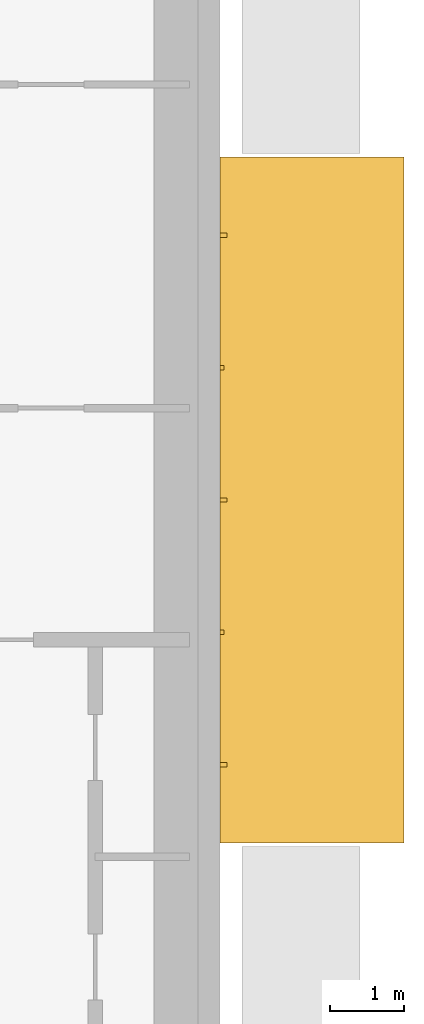
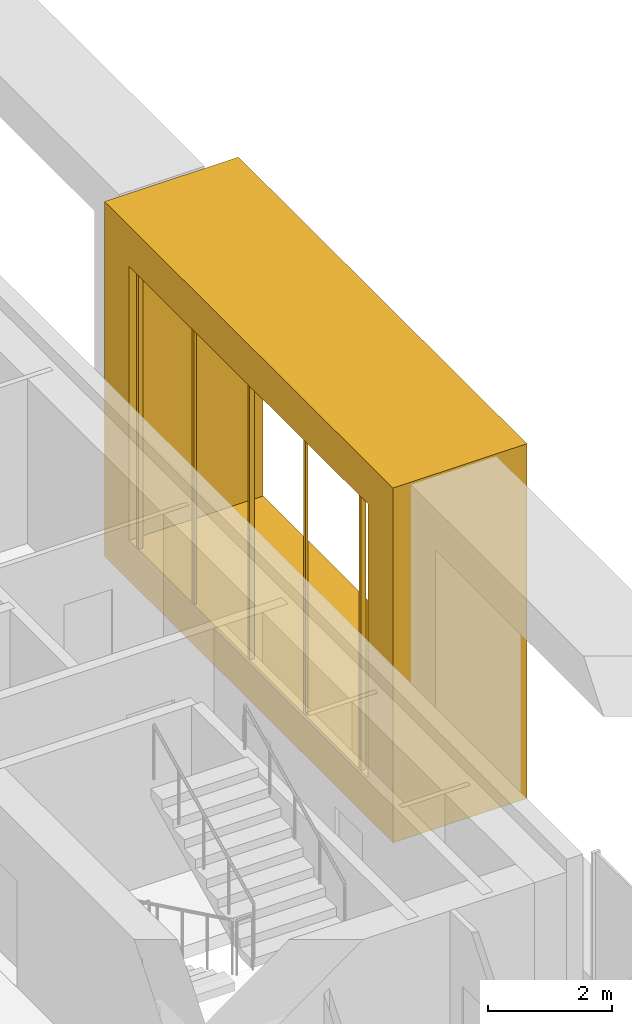
# One storey, part 18 of 20: 6 coverings.
"""IFC4 building model written with IfcOpenShell, lengths in metres."""

from ifc_helpers import new_model, si_unit, direction, frame, origin, origin_2d, place, context, subcontext, project, spatial, polyline, rectangle, outline, extrude, material, type_object, element, save


model = new_model("IFC4")

# Units and contexts
model_context = context("Model", 3, precision=1e-05, world=origin(), true_north=direction((0.0, 1.0)))
body_context = subcontext(model_context, "Body", "Model", "MODEL_VIEW")
ifc_project = project(units=[si_unit("LENGTHUNIT", "METRE"), si_unit("AREAUNIT", "SQUARE_METRE"), si_unit("VOLUMEUNIT", "CUBIC_METRE"), si_unit("PLANEANGLEUNIT", "RADIAN"), si_unit("MASSUNIT", "GRAM", prefix="KILO")], contexts=[model_context])

# Site, building, storey
site_placement = place(None, origin())
site = spatial("IfcSite", under=ifc_project, at=site_placement, CompositionType="ELEMENT")
building_placement = place(site_placement, origin())
building = spatial("IfcBuilding", under=site, at=building_placement, Name="Cobrizo Arcos Hotel Tower", CompositionType="ELEMENT")
storey_placement = place(building_placement, frame((0.0, 0.0, 110.0)))
storey = spatial("IfcBuildingStorey", under=building, at=storey_placement, Name="L27", CompositionType="ELEMENT", Elevation=110.0)

# Coverings
ifc_material_1 = material(Name="Aluminium 6063-T6 anodised bronze", Category="aluminium")
covering_type_1 = type_object("IfcCoveringType", Name="FIN-F 2500", PredefinedType="CLADDING", material=ifc_material_1)
covering_placement = place(storey_placement, frame((23.10009765625, -4.66259765625, 0.0), z_axis=(1.0, 0.0, 0.0), x_axis=(0.0, 1.0, 0.0)))
element("IfcCovering", 1, at=covering_placement, inside=storey, type_object=covering_type_1, Name="Fin frame 118", PredefinedType="CLADDING", context=body_context, shape_type="SweptSolid", body=[
    extrude(outline(polyline([(0.0, 7.0), (0.0, 0.0), (9.324951171875, 0.0), (9.324951171875, 7.0), (0.0, 7.0)]), holes=[polyline([(8.52490234375, 0.800048828125), (0.800048828125, 0.800048828125), (0.800048828125, 6.199951171875), (8.52490234375, 6.199951171875), (8.52490234375, 0.800048828125)])]), origin(), (0.0, 0.0, 1.0), 2.5),
])
ifc_material_2 = material(Name="Aluminium 6063-T6 anodised pale", Category="aluminium")
covering_type_2 = type_object("IfcCoveringType", Name="RS-1 rainscreen rib 60x90", PredefinedType="CLADDING", material=ifc_material_2)
for number, where, z_axis, x_axis, name in (
    (2, (23.14501953125, -3.60009765625, 0.800048828125), (0.0, 0.0, 1.0), (0.0, 1.0, 0.0), "Rainscreen rib 139"),
    (3, (23.14501953125, 0.0, 0.800048828125), (0.0, 0.0, 1.0), (0.0, 1.0, 0.0), "Rainscreen rib 141"),
    (4, (23.14501953125, 3.60009765625, 0.800048828125), (0.0, 0.0, 1.0), (0.0, 1.0, 0.0), "Rainscreen rib 143"),
):
    element("IfcCovering", number, at=place(storey_placement, frame(where, z_axis=z_axis, x_axis=x_axis)), inside=storey, type_object=covering_type_2, Name=name, PredefinedType="CLADDING", context=body_context, shape_type="SweptSolid", body=[
        extrude(rectangle(XDim=0.06005859375, YDim=0.090087890625, at=origin_2d()), origin(), (0.0, 0.0, 1.0), 5.39990234375),
    ])
covering_type_3 = type_object("IfcCoveringType", Name="RS-2 rainscreen rib 60x50", PredefinedType="CLADDING", material=ifc_material_2)
for number, where, z_axis, x_axis, name in (
    (5, (23.125, -1.800048828125, 0.800048828125), (0.0, 0.0, 1.0), (0.0, 1.0, 0.0), "Rainscreen rib 140"),
    (6, (23.125, 1.800048828125, 0.800048828125), (0.0, 0.0, 1.0), (0.0, 1.0, 0.0), "Rainscreen rib 142"),
):
    element("IfcCovering", number, at=place(storey_placement, frame(where, z_axis=z_axis, x_axis=x_axis)), inside=storey, type_object=covering_type_3, Name=name, PredefinedType="CLADDING", context=body_context, shape_type="SweptSolid", body=[
        extrude(rectangle(XDim=0.06005859375, YDim=0.050048828125, at=origin_2d()), origin(), (0.0, 0.0, 1.0), 5.39990234375),
    ])

save(model, "model.ifc")
